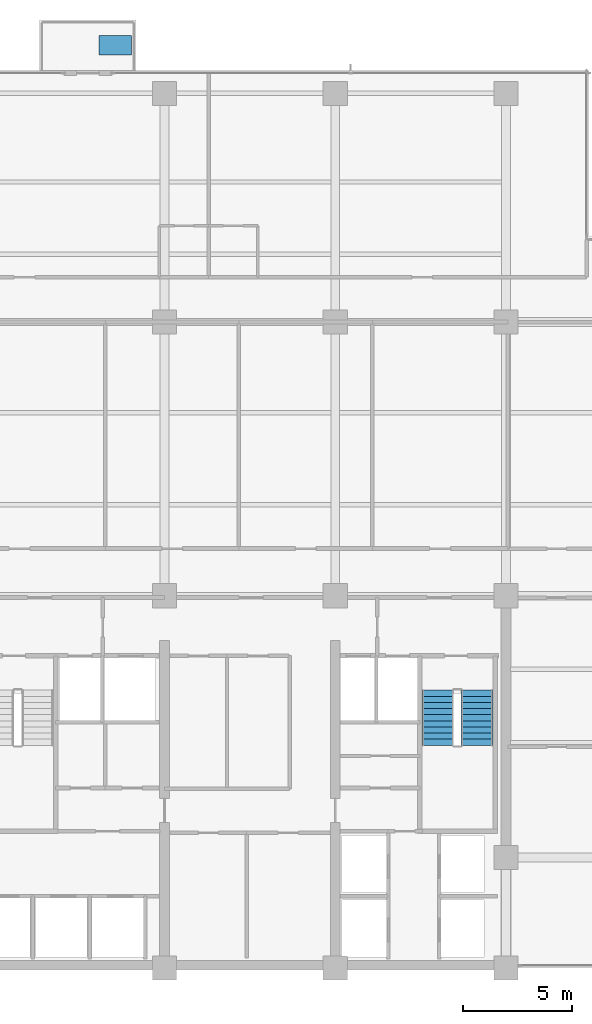
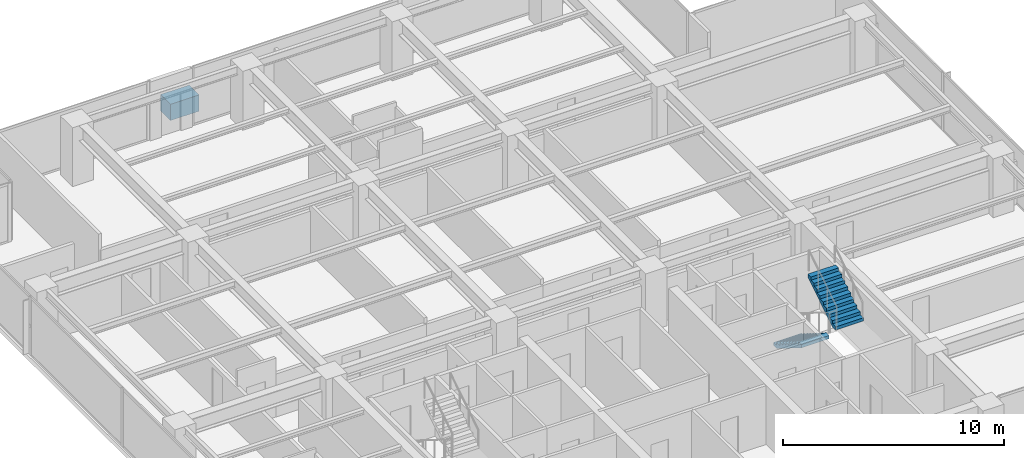
# One storey, part 10 of 14: 2 stair flights, 1 discrete accessory, 1 element without a shape of its own.
"""IFC4 building model written with IfcOpenShell, lengths in metres."""

from ifc_helpers import new_model, si_unit, direction, frame, origin, place, context, subcontext, project, spatial, polyline, outline, extrude, material, layer, layer_set, type_object, element, aggregate, save


model = new_model("IFC4")

# Units and contexts
model_context = context("Model", 3, precision=1e-05, world=origin(), true_north=direction((0.0, 1.0)))
body_context = subcontext(model_context, "Body", "Model", "MODEL_VIEW")
ifc_project = project(units=[si_unit("LENGTHUNIT", "METRE"), si_unit("AREAUNIT", "SQUARE_METRE"), si_unit("VOLUMEUNIT", "CUBIC_METRE"), si_unit("PLANEANGLEUNIT", "RADIAN"), si_unit("MASSUNIT", "GRAM", prefix="KILO")], contexts=[model_context])

# Site, building, storey
site_placement = place(None, origin())
site = spatial("IfcSite", under=ifc_project, at=site_placement, CompositionType="ELEMENT")
building_placement = place(site_placement, origin())
building = spatial("IfcBuilding", under=site, at=building_placement, Name="Qalmaran Belvedere Hotel", CompositionType="ELEMENT")
storey_placement = place(building_placement, frame((0.0, 0.0, 177.10009765625)))
storey = spatial("IfcBuildingStorey", under=building, at=storey_placement, Name="L45", CompositionType="ELEMENT", Elevation=177.10009765625)

# Stair, stair flights
ifc_material = material(Name="Concrete C40/50", Category="concrete")
stair_type = type_object("IfcStairType", Name="STR-ST-2-1450-R1750", PredefinedType="HALF_TURN_STAIR", material=ifc_material)
stair_placement = place(storey_placement, origin())
stair = element("IfcStair", 1, at=stair_placement, inside=storey, type_object=stair_type, Name="L45 East Core Exit Stair ST-2", PredefinedType="HALF_TURN_STAIR")
ifc_layer = layer(ifc_material, 0.14990234375, Name="Concrete C40/50")
ifc_layer_set = layer_set([ifc_layer], Name="Concrete C40/50")
stair_flight_type = type_object("IfcStairFlightType", Name="STF-ST-2-1450-R1750", PredefinedType="STRAIGHT", material=ifc_layer_set)
stair_flight_1_placement = place(storey_placement, frame((41.68505859375, 16.18994140625, 0.0), z_axis=(0.0, 0.0, 1.0), x_axis=(0.0, -1.0, 0.0)))
stair_flight_1 = element("IfcStairFlight", 2, at=stair_flight_1_placement, type_object=stair_flight_type, Name="ST-2 flight 1", NumberOfRisers=10, NumberOfTreads=9, PredefinedType="STRAIGHT", RiserHeight=0.175, TreadLength=0.28, context=body_context, shape_type="SweptSolid", body=[
    extrude(outline(polyline([(0.0, 0.0), (0.0, 0.175048828125), (0.280029296875, 0.175048828125), (0.280029296875, 0.35009765625), (0.56005859375, 0.35009765625), (0.56005859375, 0.52490234375), (0.840087890625, 0.52490234375), (0.840087890625, 0.699951171875), (1.1201171875, 0.699951171875), (1.1201171875, 0.875), (1.39990234375, 0.875), (1.39990234375, 1.050048828125), (1.679931640625, 1.050048828125), (1.679931640625, 1.22509765625), (1.9599609375, 1.22509765625), (1.9599609375, 1.39990234375), (2.239990234375, 1.39990234375), (2.239990234375, 1.574951171875), (2.52001953125, 1.574951171875), (2.52001953125, 1.75), (2.52001953125, 1.398193359375), (0.28271484375, 0.0), (0.0, 0.0)])), frame((0.0, 0.72509765625, 0.0), z_axis=(0.0, -1.0, 0.0), x_axis=(1.0, 0.0, 0.0)), (0.0, 0.0, 1.0), 1.449951171875),
])
stair_flight_2_placement = place(storey_placement, frame((43.47509765625, 13.669921875, 1.75), z_axis=(0.0, 0.0, 1.0), x_axis=(0.0, 1.0, 0.0)))
stair_flight_2 = element("IfcStairFlight", 3, at=stair_flight_2_placement, type_object=stair_flight_type, Name="ST-2 flight 2", NumberOfRisers=10, NumberOfTreads=9, PredefinedType="STRAIGHT", RiserHeight=0.175, TreadLength=0.28, context=body_context, shape_type="SweptSolid", body=[
    extrude(outline(polyline([(0.0, 0.0), (0.0, 0.175048828125), (0.280029296875, 0.175048828125), (0.280029296875, 0.35009765625), (0.56005859375, 0.35009765625), (0.56005859375, 0.52490234375), (0.840087890625, 0.52490234375), (0.840087890625, 0.699951171875), (1.1201171875, 0.699951171875), (1.1201171875, 0.875), (1.39990234375, 0.875), (1.39990234375, 1.050048828125), (1.679931640625, 1.050048828125), (1.679931640625, 1.22509765625), (1.9599609375, 1.22509765625), (1.9599609375, 1.39990234375), (2.239990234375, 1.39990234375), (2.239990234375, 1.574951171875), (2.52001953125, 1.574951171875), (2.52001953125, 1.75), (2.52001953125, 1.398193359375), (0.28271484375, 0.0), (0.0, 0.0)])), frame((0.0, 0.72509765625, 0.0), z_axis=(0.0, -1.0, 0.0), x_axis=(1.0, 0.0, 0.0)), (0.0, 0.0, 1.0), 1.449951171875),
])
aggregate(stair, [stair_flight_1, stair_flight_2])

# Discrete accessory
discrete_accessory_type = type_object("IfcDiscreteAccessoryType", Name="PLN-BAL-1500", PredefinedType="USERDEFINED", material=ifc_material)
discrete_accessory_placement = place(storey_placement, origin())
element("IfcDiscreteAccessory", 4, at=discrete_accessory_placement, inside=storey, type_object=discrete_accessory_type, Name="L45 Sky Tree Planter", ObjectType="PLANTER", PredefinedType="USERDEFINED", context=body_context, shape_type="SweptSolid", body=[
    extrude(outline(polyline([(26.199951171875, 45.199951171875), (27.699951171875, 45.199951171875), (27.699951171875, 46.10009765625), (26.199951171875, 46.10009765625), (26.199951171875, 45.199951171875)])), origin(), (0.0, 0.0, 1.0), 0.89990234375),
])

save(model, "model.ifc")
